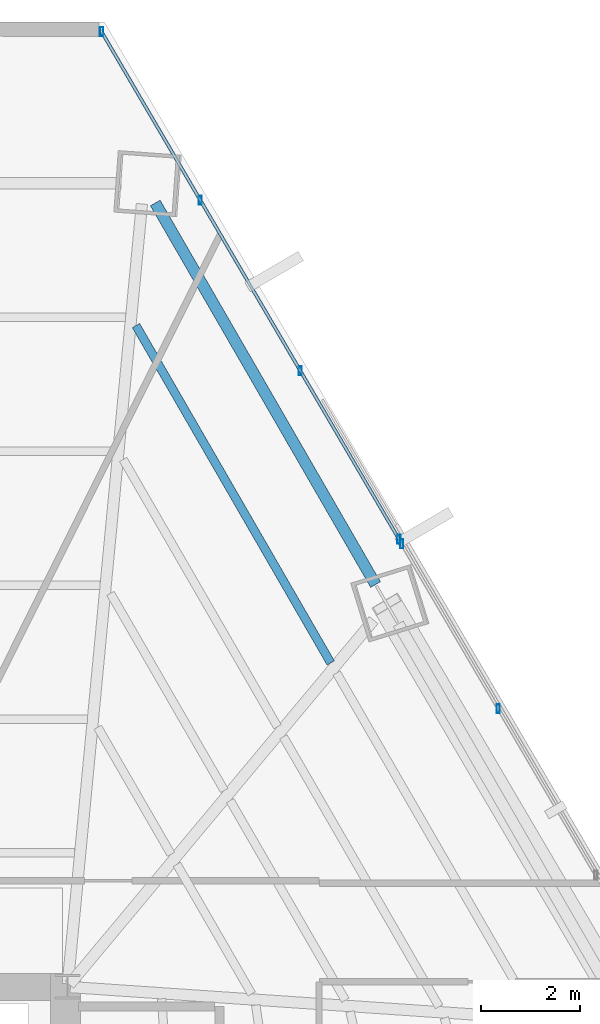
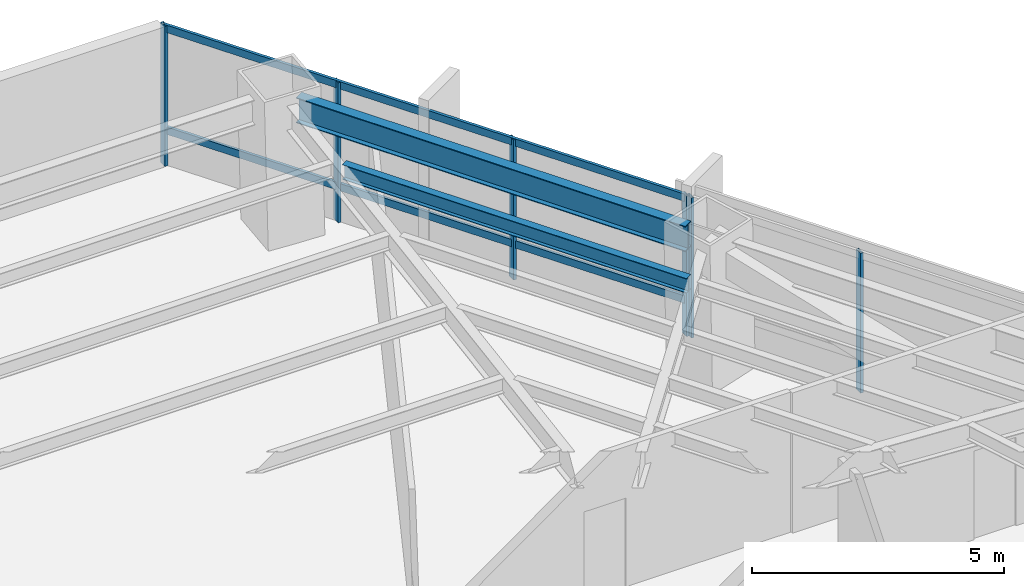
# One storey, part 26 of 33: 8 members, 2 beams, 2 elements without a shape of their own.
"""IFC4 building model written with IfcOpenShell, lengths in metres."""

from ifc_helpers import new_model, si_unit, direction, frame, origin, origin_2d, place, context, subcontext, project, spatial, hollow_rectangle, i_section, extrude, source, transform, mapped, material, material_profile, profile_set, type_object, type_shapes, element, aggregate, save


model = new_model("IFC4")

# Units and contexts
model_context = context("Model", 3, precision=1e-05, world=origin(), true_north=direction((0.0, 1.0)))
body_context = subcontext(model_context, "Body", "Model", "MODEL_VIEW")
ifc_project = project(units=[si_unit("LENGTHUNIT", "METRE"), si_unit("AREAUNIT", "SQUARE_METRE"), si_unit("VOLUMEUNIT", "CUBIC_METRE"), si_unit("PLANEANGLEUNIT", "RADIAN"), si_unit("MASSUNIT", "GRAM", prefix="KILO")], contexts=[model_context])

# Site, building, storey
site_placement = place(None, origin())
site = spatial("IfcSite", under=ifc_project, at=site_placement, CompositionType="ELEMENT")
building_placement = place(site_placement, origin())
building = spatial("IfcBuilding", under=site, at=building_placement, Name="Caelisora Broadcast Tower", CompositionType="ELEMENT")
storey_placement = place(building_placement, frame((0.0, 0.0, 34.89990234375)))
storey = spatial("IfcBuildingStorey", under=building, at=storey_placement, Name="L08", CompositionType="ELEMENT", Elevation=34.89990234375)

# Beams
ifc_material_1 = material(Name="Steel Grade 350 (AS/NZS 3679.1)", Category="steel")
ifc_material_profile_1 = material_profile(ifc_material_1, i_section(OverallWidth=0.22900390625, OverallDepth=0.611572265625, WebThickness=0.011962890625, FlangeThickness=0.01953125, at=origin_2d()), Name="Steel Grade 350 (AS/NZS 3679.1)")
ifc_profile_set_1 = profile_set([ifc_material_profile_1], Name="Steel Grade 350 (AS/NZS 3679.1)")
beam_type_1 = type_object("IfcBeamType", Name="PG03", PredefinedType="BEAM", material=ifc_profile_set_1)
shared_shape_1 = source(origin(), body_context, "Body", "SweptSolid", [
    extrude(i_section(OverallWidth=0.22900390625, OverallDepth=0.611572265625, WebThickness=0.011962890625, FlangeThickness=0.01953125, at=origin_2d()), origin(), (0.0, 0.0, 1.0), 8.933349609375),
])
type_shapes(beam_type_1, [shared_shape_1])
beam_1_placement = place(storey_placement, frame((51.74658203125, 38.156494140625, 3.09423828125), z_axis=(-0.500018952895, 0.866014461049, 0.0), x_axis=(-0.866014461049, -0.500018952895, 0.0)))
element("IfcBeam", 1, at=beam_1_placement, inside=storey, type_object=beam_type_1, Name="L08 beam PG03", PredefinedType="BEAM", context=body_context, shape_type="MappedRepresentation", body=[
    mapped(shared_shape_1, transform((0.0, 0.0, 0.0), scale=1.0)),
])
ifc_material_profile_2 = material_profile(ifc_material_1, i_section(OverallWidth=0.172119140625, OverallDepth=0.358642578125, WebThickness=0.008056640625, FlangeThickness=0.012939453125, at=origin_2d()), Name="Steel Grade 350 (AS/NZS 3679.1)")
ifc_profile_set_2 = profile_set([ifc_material_profile_2], Name="Steel Grade 350 (AS/NZS 3679.1)")
beam_type_2 = type_object("IfcBeamType", Name="SB02", PredefinedType="JOIST", material=ifc_profile_set_2)
shared_shape_2 = source(origin(), body_context, "Body", "SweptSolid", [
    extrude(i_section(OverallWidth=0.172119140625, OverallDepth=0.358642578125, WebThickness=0.008056640625, FlangeThickness=0.012939453125, at=origin_2d()), origin(), (0.0, 0.0, 1.0), 7.899169921875),
])
type_shapes(beam_type_2, [shared_shape_2])
beam_2_placement = place(storey_placement, frame((50.837890625, 36.567626953125, 3.220703125), z_axis=(-0.499991781437, 0.866030148722, 0.0), x_axis=(-0.866030148722, -0.499991781437, 0.0)))
element("IfcBeam", 2, at=beam_2_placement, inside=storey, type_object=beam_type_2, Name="L08 beam SB02", PredefinedType="JOIST", context=body_context, shape_type="MappedRepresentation", body=[
    mapped(shared_shape_2, transform((0.0, 0.0, 0.0), scale=1.0)),
])

# Curtain wall, members
ifc_material_2 = material(Name="Unitised Aluminium and Low-E Glass Curtain Wall", Category="glass")
curtain_wall_type_1 = type_object("IfcCurtainWallType", Name="CW-Z1", PredefinedType="NOTDEFINED", material=ifc_material_2)
curtain_wall_1_placement = place(storey_placement, origin())
curtain_wall_1 = element("IfcCurtainWall", 3, at=curtain_wall_1_placement, inside=storey, type_object=curtain_wall_type_1, Name="L08 curtain wall CW-Z1", PredefinedType="NOTDEFINED")
ifc_material_3 = material(Name="Aluminium 6063-T6 Anodised Terracotta Bronze", Category="aluminium")
ifc_material_profile_3 = material_profile(ifc_material_3, hollow_rectangle(XDim=0.06494140625, YDim=0.179931640625, WallThickness=0.00341796875, at=origin_2d()), Name="Aluminium 6063-T6 Anodised Terracotta Bronze")
ifc_profile_set_3 = profile_set([ifc_material_profile_3], Name="Aluminium 6063-T6 Anodised Terracotta Bronze")
member_type_1 = type_object("IfcMemberType", Name="CWM-02", PredefinedType="MULLION", material=ifc_profile_set_3)
shared_shape_3 = source(origin(), body_context, "Body", "SweptSolid", [
    extrude(hollow_rectangle(XDim=0.06494140625, YDim=0.179931640625, WallThickness=0.00341796875, at=origin_2d()), origin(), (0.0, 0.0, 1.0), 3.400146484375),
])
type_shapes(member_type_1, [shared_shape_3])
member_1_placement = place(storey_placement, frame((46.19140625, 49.364990234375, 0.0), z_axis=(0.0, 0.0, 1.0), x_axis=(1.0, 0.0, 0.0)))
member_1 = element("IfcMember", 4, at=member_1_placement, type_object=member_type_1, Name="L08-CW-B01 mullion #0", PredefinedType="MULLION", context=body_context, shape_type="MappedRepresentation", body=[
    mapped(shared_shape_3, transform((0.0, 0.0, 0.0), scale=1.0)),
])
member_2_placement = place(storey_placement, frame((48.193115234375, 45.94970703125, 0.0), z_axis=(0.0, 0.0, 1.0), x_axis=(1.0, 0.0, 0.0)))
member_2 = element("IfcMember", 5, at=member_2_placement, type_object=member_type_1, Name="L08-CW-B01 mullion #1", PredefinedType="MULLION", context=body_context, shape_type="MappedRepresentation", body=[
    mapped(shared_shape_3, transform((0.0, 0.0, 0.0), scale=1.0)),
])
member_3_placement = place(storey_placement, frame((50.219970703125, 42.4912109375, 0.0), z_axis=(0.0, 0.0, 1.0), x_axis=(1.0, 0.0, 0.0)))
member_3 = element("IfcMember", 6, at=member_3_placement, type_object=member_type_1, Name="L08-CW-B01 mullion #2", PredefinedType="MULLION", context=body_context, shape_type="MappedRepresentation", body=[
    mapped(shared_shape_3, transform((0.0, 0.0, 0.0), scale=1.0)),
])
member_4_placement = place(storey_placement, frame((52.2216796875, 39.076171875, 0.0), z_axis=(0.0, 0.0, 1.0), x_axis=(1.0, 0.0, 0.0)))
member_4 = element("IfcMember", 7, at=member_4_placement, type_object=member_type_1, Name="L08-CW-B01 mullion #3", PredefinedType="MULLION", context=body_context, shape_type="MappedRepresentation", body=[
    mapped(shared_shape_3, transform((0.0, 0.0, 0.0), scale=1.0)),
])

ifc_material_4 = material(Name="Unitised Aluminium Insulated Shadow-Box Spandrel Curtain Wall", Category="aluminium")
curtain_wall_type_2 = type_object("IfcCurtainWallType", Name="CW-SP1", PredefinedType="NOTDEFINED", material=ifc_material_4)
curtain_wall_2_placement = place(storey_placement, origin())
curtain_wall_2 = element("IfcCurtainWall", 8, at=curtain_wall_2_placement, inside=storey, type_object=curtain_wall_type_2, Name="L08 curtain wall CW-SP1", PredefinedType="NOTDEFINED")
member_5_placement = place(storey_placement, frame((52.277099609375, 38.981201171875, 0.0), z_axis=(0.0, 0.0, 1.0), x_axis=(1.0, 0.0, 0.0)))
member_5 = element("IfcMember", 9, at=member_5_placement, type_object=member_type_1, Name="L08-CW-B02 mullion #0", PredefinedType="MULLION", context=body_context, shape_type="MappedRepresentation", body=[
    mapped(shared_shape_3, transform((0.0, 0.0, 0.0), scale=1.0)),
])
member_6_placement = place(storey_placement, frame((54.234130859375, 35.642333984375, 0.0), z_axis=(0.0, 0.0, 1.0), x_axis=(1.0, 0.0, 0.0)))
member_6 = element("IfcMember", 10, at=member_6_placement, type_object=member_type_1, Name="L08-CW-B02 mullion #1", PredefinedType="MULLION", context=body_context, shape_type="MappedRepresentation", body=[
    mapped(shared_shape_3, transform((0.0, 0.0, 0.0), scale=1.0)),
])
aggregate(curtain_wall_2, [member_5, member_6])

# Member
ifc_material_profile_4 = material_profile(ifc_material_3, hollow_rectangle(XDim=0.06494140625, YDim=0.179931640625, WallThickness=0.00341796875, at=origin_2d()), Name="Aluminium 6063-T6 Anodised Terracotta Bronze")
ifc_profile_set_4 = profile_set([ifc_material_profile_4], Name="Aluminium 6063-T6 Anodised Terracotta Bronze")
member_type_2 = type_object("IfcMemberType", Name="CWT-01", PredefinedType="USERDEFINED", material=ifc_profile_set_4)
shared_shape_4 = source(origin(), body_context, "Body", "SweptSolid", [
    extrude(hollow_rectangle(XDim=0.06494140625, YDim=0.179931640625, WallThickness=0.00341796875, at=origin_2d()), origin(), (0.0, 0.0, 1.0), 11.92578125),
])
type_shapes(member_type_2, [shared_shape_4])
member_7_placement = place(storey_placement, frame((46.19140625, 49.364990234375, 0.85009765625), z_axis=(0.505650673378, -0.862738312881, 0.0), x_axis=(0.862738312881, 0.505650673378, 0.0)))
member_7 = element("IfcMember", 11, at=member_7_placement, type_object=member_type_2, Name="L08-CW-B01 transom #1", ObjectType="TRANSOM", PredefinedType="USERDEFINED", context=body_context, shape_type="MappedRepresentation", body=[
    mapped(shared_shape_4, transform((0.0, 0.0, 0.0), scale=1.0)),
])

member_8_placement = place(storey_placement, frame((46.19140625, 49.364990234375, 3.320068359375), z_axis=(0.505650673378, -0.862738312881, 0.0), x_axis=(0.862738312881, 0.505650673378, 0.0)))
member_8 = element("IfcMember", 12, at=member_8_placement, type_object=member_type_2, Name="L08-CW-B01 transom #2", ObjectType="TRANSOM", PredefinedType="USERDEFINED", context=body_context, shape_type="MappedRepresentation", body=[
    mapped(shared_shape_4, transform((0.0, 0.0, 0.0), scale=1.0)),
])

aggregate(curtain_wall_1, [member_1, member_2, member_3, member_4, member_7, member_8])

save(model, "model.ifc")
